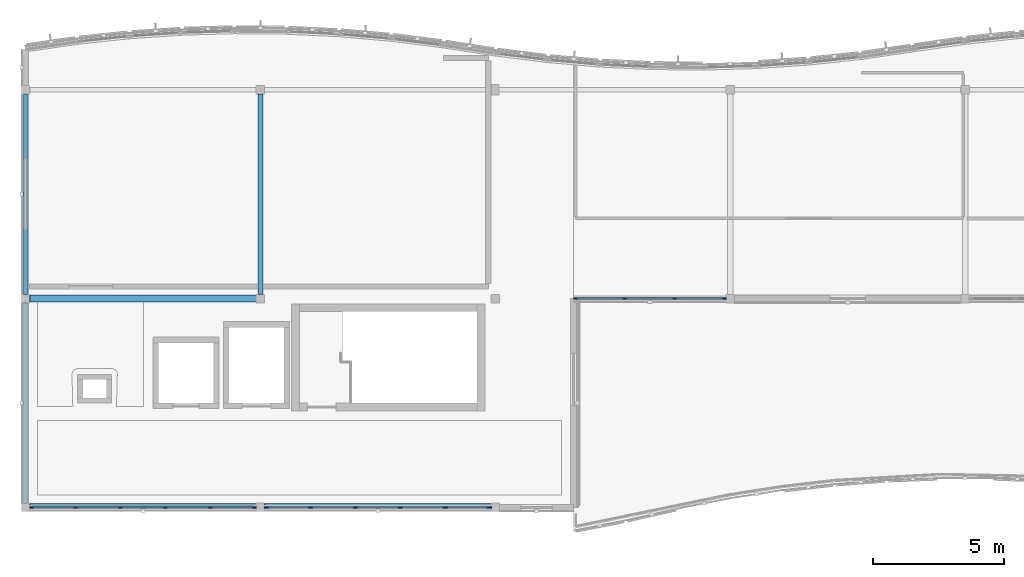
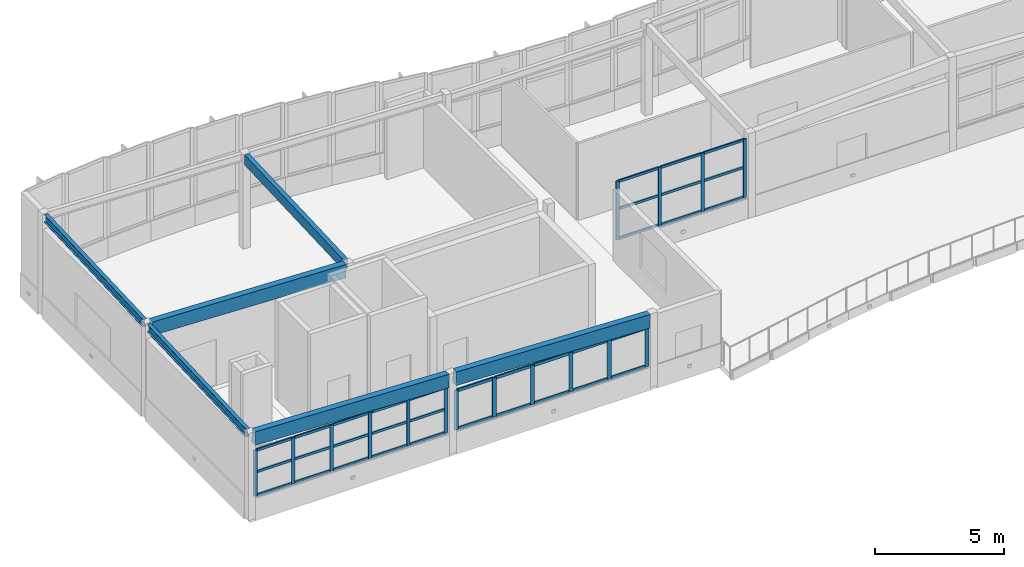
# One storey, part 2 of 20: 50 members, 6 beams, 3 elements without a shape of their own.
"""IFC4 building model written with IfcOpenShell, lengths in metres."""

from ifc_helpers import new_model, si_unit, direction, frame, origin, origin_2d, place, context, subcontext, project, spatial, rectangle, i_section, extrude, material, layer, layer_set, material_profile, profile_set, type_object, element, aggregate, save


model = new_model("IFC4")

# Units and contexts
model_context = context("Model", 3, precision=1e-05, world=origin(), true_north=direction((0.0, 1.0)))
body_context = subcontext(model_context, "Body", "Model", "MODEL_VIEW")
ifc_project = project(units=[si_unit("LENGTHUNIT", "METRE"), si_unit("AREAUNIT", "SQUARE_METRE"), si_unit("VOLUMEUNIT", "CUBIC_METRE"), si_unit("PLANEANGLEUNIT", "RADIAN"), si_unit("MASSUNIT", "GRAM", prefix="KILO")], contexts=[model_context])

# Site, building, storey
site_placement = place(None, origin())
site = spatial("IfcSite", under=ifc_project, at=site_placement, CompositionType="ELEMENT")
building_placement = place(site_placement, origin())
building = spatial("IfcBuilding", under=site, at=building_placement, Name="Tonlespit Floodbar School", CompositionType="ELEMENT")
storey_placement = place(building_placement, frame((0.0, 0.0, 20.10009765625)))
storey = spatial("IfcBuildingStorey", under=building, at=storey_placement, Name="L05", CompositionType="ELEMENT", Elevation=20.10009765625)

# Beams
ifc_material_1 = material(Name="Glulam GL28h", Category="wood")
ifc_material_profile_1 = material_profile(ifc_material_1, rectangle(XDim=0.199951171875, YDim=0.47998046875, at=origin_2d()), Name="GL 200x480")
ifc_profile_set_1 = profile_set([ifc_material_profile_1], Name="Glulam GL28h")
beam_type_1 = type_object("IfcBeamType", Name="Beam_GL_200x480", PredefinedType="BEAM", material=ifc_profile_set_1)
beam_placement = place(storey_placement, frame((53.0, 112.159912109375, 3.883056640625), z_axis=(0.0, 0.999069533259, 0.043128502326), x_axis=(-1.0, 0.0, 0.0)))
element("IfcBeam", 1, at=beam_placement, inside=storey, type_object=beam_type_1, Name="L05 girder 1354", PredefinedType="BEAM", context=body_context, shape_type="SweptSolid", body=[
    extrude(rectangle(XDim=0.199951171875, YDim=0.47998046875, at=origin_2d()), origin(), (0.0, 0.0, 1.0), 7.687255859375),
])
ifc_material_profile_2 = material_profile(ifc_material_1, rectangle(XDim=0.280029296875, YDim=0.639892578125, at=origin_2d()), Name="GL 280x640")
ifc_profile_set_2 = profile_set([ifc_material_profile_2], Name="Glulam GL28h")
beam_type_2 = type_object("IfcBeamType", Name="Beam_GL_280x640", PredefinedType="BEAM", material=ifc_profile_set_2)
for number, where, z_axis, x_axis, name in (
    (2, (44.159912109375, 104.0, 3.76708984375), (0.9993606324, 0.0, -0.035753690848), (0.0, 1.0, 0.0), "L05 girder 1336"),
    (3, (53.159912109375, 104.0, 3.445068359375), (0.9993606324, 0.0, -0.035753690848), (0.0, 1.0, 0.0), "L05 girder 1337"),
    (4, (44.159912109375, 112.0, 4.1123046875), (0.9993606324, 0.0, -0.035753690848), (0.0, 1.0, 0.0), "L05 girder 1340"),
):
    element("IfcBeam", number, at=place(storey_placement, frame(where, z_axis=z_axis, x_axis=x_axis)), inside=storey, type_object=beam_type_2, Name=name, PredefinedType="BEAM", context=body_context, shape_type="SweptSolid", body=[
        extrude(rectangle(XDim=0.280029296875, YDim=0.639892578125, at=origin_2d()), origin(), (0.0, 0.0, 1.0), 8.685791015625),
    ])

# Curtain wall, members
ifc_material_2 = material(Name="Anodised Aluminium", Category="aluminium")
ifc_layer_1 = layer(ifc_material_2, 0.159912109375)
ifc_layer_set_1 = layer_set([ifc_layer_1], Name="Anodised Aluminium")
curtain_wall_type_1 = type_object("IfcCurtainWallType", Name="CurtainWall_5750x2750", PredefinedType="NOTDEFINED", material=ifc_layer_set_1)
curtain_wall_1_placement = place(storey_placement, origin())
curtain_wall_1 = element("IfcCurtainWall", 5, at=curtain_wall_1_placement, inside=storey, type_object=curtain_wall_type_1, Name="L05 unitised curtain wall 0248", PredefinedType="NOTDEFINED")
ifc_material_profile_3 = material_profile(ifc_material_2, rectangle(XDim=0.06494140625, YDim=0.14990234375, at=origin_2d()), Name="ALU M65x150")
ifc_profile_set_3 = profile_set([ifc_material_profile_3], Name="Anodised Aluminium")
member_type_1 = type_object("IfcMemberType", Name="CW_Mullion_65x150", PredefinedType="MULLION", material=ifc_profile_set_3)
member_1_placement = place(storey_placement, frame((70.767578125, 112.0, 0.949951171875), z_axis=(0.0, 0.0, 1.0), x_axis=(0.0, -1.0, 0.0)))
member_1 = element("IfcMember", 6, at=member_1_placement, type_object=member_type_1, Name="CW-32 mullion 1", PredefinedType="MULLION", context=body_context, shape_type="SweptSolid", body=[
    extrude(rectangle(XDim=0.06494140625, YDim=0.14990234375, at=origin_2d()), origin(), (0.0, 0.0, 1.0), 2.766845703125),
])
member_2_placement = place(storey_placement, frame((68.8798828125, 112.0, 0.949951171875), z_axis=(0.0, 0.0, 1.0), x_axis=(0.0, -1.0, 0.0)))
member_2 = element("IfcMember", 7, at=member_2_placement, type_object=member_type_1, Name="CW-32 mullion 2", PredefinedType="MULLION", context=body_context, shape_type="SweptSolid", body=[
    extrude(rectangle(XDim=0.06494140625, YDim=0.14990234375, at=origin_2d()), origin(), (0.0, 0.0, 1.0), 2.766845703125),
])
member_3_placement = place(storey_placement, frame((66.9599609375, 112.0, 0.949951171875), z_axis=(0.0, 0.0, 1.0), x_axis=(0.0, -1.0, 0.0)))
member_3 = element("IfcMember", 8, at=member_3_placement, type_object=member_type_1, Name="CW-32 mullion 3", PredefinedType="MULLION", context=body_context, shape_type="SweptSolid", body=[
    extrude(rectangle(XDim=0.06494140625, YDim=0.14990234375, at=origin_2d()), origin(), (0.0, 0.0, 1.0), 2.766845703125),
])
member_4_placement = place(storey_placement, frame((65.072509765625, 112.0, 0.949951171875), z_axis=(0.0, 0.0, 1.0), x_axis=(0.0, -1.0, 0.0)))
member_4 = element("IfcMember", 9, at=member_4_placement, type_object=member_type_1, Name="CW-32 mullion 4", PredefinedType="MULLION", context=body_context, shape_type="SweptSolid", body=[
    extrude(rectangle(XDim=0.06494140625, YDim=0.14990234375, at=origin_2d()), origin(), (0.0, 0.0, 1.0), 2.766845703125),
])

ifc_layer_2 = layer(ifc_material_2, 0.159912109375)
ifc_layer_set_2 = layer_set([ifc_layer_2], Name="Anodised Aluminium")
curtain_wall_type_2 = type_object("IfcCurtainWallType", Name="CurtainWall_8600x2200", PredefinedType="NOTDEFINED", material=ifc_layer_set_2)
curtain_wall_2_placement = place(storey_placement, origin())
curtain_wall_2 = element("IfcCurtainWall", 10, at=curtain_wall_2_placement, inside=storey, type_object=curtain_wall_type_2, Name="L05 unitised curtain wall 0250", PredefinedType="NOTDEFINED")
member_5_placement = place(storey_placement, frame((52.767578125, 104.0, 0.949951171875), z_axis=(0.0, 0.0, 1.0), x_axis=(0.0, -1.0, 0.0)))
member_5 = element("IfcMember", 11, at=member_5_placement, type_object=member_type_1, Name="CW-28 mullion 1", PredefinedType="MULLION", context=body_context, shape_type="SweptSolid", body=[
    extrude(rectangle(XDim=0.06494140625, YDim=0.14990234375, at=origin_2d()), origin(), (0.0, 0.0, 1.0), 2.186767578125),
])
member_6_placement = place(storey_placement, frame((51.080078125, 104.0, 0.949951171875), z_axis=(0.0, 0.0, 1.0), x_axis=(0.0, -1.0, 0.0)))
member_6 = element("IfcMember", 12, at=member_6_placement, type_object=member_type_1, Name="CW-28 mullion 2", PredefinedType="MULLION", context=body_context, shape_type="SweptSolid", body=[
    extrude(rectangle(XDim=0.06494140625, YDim=0.14990234375, at=origin_2d()), origin(), (0.0, 0.0, 1.0), 2.186767578125),
])
member_7_placement = place(storey_placement, frame((49.360107421875, 104.0, 0.949951171875), z_axis=(0.0, 0.0, 1.0), x_axis=(0.0, -1.0, 0.0)))
member_7 = element("IfcMember", 13, at=member_7_placement, type_object=member_type_1, Name="CW-28 mullion 3", PredefinedType="MULLION", context=body_context, shape_type="SweptSolid", body=[
    extrude(rectangle(XDim=0.06494140625, YDim=0.14990234375, at=origin_2d()), origin(), (0.0, 0.0, 1.0), 2.186767578125),
])
member_8_placement = place(storey_placement, frame((47.639892578125, 104.0, 0.949951171875), z_axis=(0.0, 0.0, 1.0), x_axis=(0.0, -1.0, 0.0)))
member_8 = element("IfcMember", 14, at=member_8_placement, type_object=member_type_1, Name="CW-28 mullion 4", PredefinedType="MULLION", context=body_context, shape_type="SweptSolid", body=[
    extrude(rectangle(XDim=0.06494140625, YDim=0.14990234375, at=origin_2d()), origin(), (0.0, 0.0, 1.0), 2.186767578125),
])
member_9_placement = place(storey_placement, frame((45.919921875, 104.0, 0.949951171875), z_axis=(0.0, 0.0, 1.0), x_axis=(0.0, -1.0, 0.0)))
member_9 = element("IfcMember", 15, at=member_9_placement, type_object=member_type_1, Name="CW-28 mullion 5", PredefinedType="MULLION", context=body_context, shape_type="SweptSolid", body=[
    extrude(rectangle(XDim=0.06494140625, YDim=0.14990234375, at=origin_2d()), origin(), (0.0, 0.0, 1.0), 2.186767578125),
])
member_10_placement = place(storey_placement, frame((44.232421875, 104.0, 0.949951171875), z_axis=(0.0, 0.0, 1.0), x_axis=(0.0, -1.0, 0.0)))
member_10 = element("IfcMember", 16, at=member_10_placement, type_object=member_type_1, Name="CW-28 mullion 6", PredefinedType="MULLION", context=body_context, shape_type="SweptSolid", body=[
    extrude(rectangle(XDim=0.06494140625, YDim=0.14990234375, at=origin_2d()), origin(), (0.0, 0.0, 1.0), 2.186767578125),
])

ifc_layer_3 = layer(ifc_material_2, 0.159912109375)
ifc_layer_set_3 = layer_set([ifc_layer_3], Name="Anodised Aluminium")
curtain_wall_type_3 = type_object("IfcCurtainWallType", Name="CurtainWall_8600x1850", PredefinedType="NOTDEFINED", material=ifc_layer_set_3)
curtain_wall_3_placement = place(storey_placement, origin())
curtain_wall_3 = element("IfcCurtainWall", 17, at=curtain_wall_3_placement, inside=storey, type_object=curtain_wall_type_3, Name="L05 unitised curtain wall 0249", PredefinedType="NOTDEFINED")
ifc_material_profile_4 = material_profile(ifc_material_2, rectangle(XDim=0.06494140625, YDim=0.179931640625, at=origin_2d()), Name="ALU M65x180")
ifc_profile_set_4 = profile_set([ifc_material_profile_4], Name="Anodised Aluminium")
member_type_2 = type_object("IfcMemberType", Name="CW_Mullion_65x180", PredefinedType="MULLION", material=ifc_profile_set_4)
member_11_placement = place(storey_placement, frame((61.767578125, 104.0, 0.949951171875), z_axis=(0.0, 0.0, 1.0), x_axis=(0.0, -1.0, 0.0)))
member_11 = element("IfcMember", 18, at=member_11_placement, type_object=member_type_2, Name="CW-29 mullion 1", PredefinedType="MULLION", context=body_context, shape_type="SweptSolid", body=[
    extrude(rectangle(XDim=0.06494140625, YDim=0.179931640625, at=origin_2d()), origin(), (0.0, 0.0, 1.0), 1.864501953125),
])
member_12_placement = place(storey_placement, frame((60.080078125, 104.0, 0.949951171875), z_axis=(0.0, 0.0, 1.0), x_axis=(0.0, -1.0, 0.0)))
member_12 = element("IfcMember", 19, at=member_12_placement, type_object=member_type_2, Name="CW-29 mullion 2", PredefinedType="MULLION", context=body_context, shape_type="SweptSolid", body=[
    extrude(rectangle(XDim=0.06494140625, YDim=0.179931640625, at=origin_2d()), origin(), (0.0, 0.0, 1.0), 1.864501953125),
])
member_13_placement = place(storey_placement, frame((58.360107421875, 104.0, 0.949951171875), z_axis=(0.0, 0.0, 1.0), x_axis=(0.0, -1.0, 0.0)))
member_13 = element("IfcMember", 20, at=member_13_placement, type_object=member_type_2, Name="CW-29 mullion 3", PredefinedType="MULLION", context=body_context, shape_type="SweptSolid", body=[
    extrude(rectangle(XDim=0.06494140625, YDim=0.179931640625, at=origin_2d()), origin(), (0.0, 0.0, 1.0), 1.864501953125),
])
member_14_placement = place(storey_placement, frame((56.639892578125, 104.0, 0.949951171875), z_axis=(0.0, 0.0, 1.0), x_axis=(0.0, -1.0, 0.0)))
member_14 = element("IfcMember", 21, at=member_14_placement, type_object=member_type_2, Name="CW-29 mullion 4", PredefinedType="MULLION", context=body_context, shape_type="SweptSolid", body=[
    extrude(rectangle(XDim=0.06494140625, YDim=0.179931640625, at=origin_2d()), origin(), (0.0, 0.0, 1.0), 1.864501953125),
])
member_15_placement = place(storey_placement, frame((54.919921875, 104.0, 0.949951171875), z_axis=(0.0, 0.0, 1.0), x_axis=(0.0, -1.0, 0.0)))
member_15 = element("IfcMember", 22, at=member_15_placement, type_object=member_type_2, Name="CW-29 mullion 5", PredefinedType="MULLION", context=body_context, shape_type="SweptSolid", body=[
    extrude(rectangle(XDim=0.06494140625, YDim=0.179931640625, at=origin_2d()), origin(), (0.0, 0.0, 1.0), 1.864501953125),
])
member_16_placement = place(storey_placement, frame((53.232421875, 104.0, 0.949951171875), z_axis=(0.0, 0.0, 1.0), x_axis=(0.0, -1.0, 0.0)))
member_16 = element("IfcMember", 23, at=member_16_placement, type_object=member_type_2, Name="CW-29 mullion 6", PredefinedType="MULLION", context=body_context, shape_type="SweptSolid", body=[
    extrude(rectangle(XDim=0.06494140625, YDim=0.179931640625, at=origin_2d()), origin(), (0.0, 0.0, 1.0), 1.864501953125),
])

# Member
ifc_material_profile_5 = material_profile(ifc_material_2, rectangle(XDim=0.06494140625, YDim=0.1201171875, at=origin_2d()), Name="ALU T65x120")
ifc_profile_set_5 = profile_set([ifc_material_profile_5], Name="Anodised Aluminium")
member_type_3 = type_object("IfcMemberType", Name="CW_Transom_65x120", PredefinedType="USERDEFINED", material=ifc_profile_set_5)
member_17_placement = place(storey_placement, frame((70.735107421875, 112.0, 0.982421875), z_axis=(-1.0, 0.0, 0.0), x_axis=(0.0, -1.0, 0.0)))
member_17 = element("IfcMember", 24, at=member_17_placement, type_object=member_type_3, Name="CW-32 transom 1.1", ObjectType="TRANSOM", PredefinedType="USERDEFINED", context=body_context, shape_type="SweptSolid", body=[
    extrude(rectangle(XDim=0.06494140625, YDim=0.1201171875, at=origin_2d()), origin(), (0.0, 0.0, 1.0), 1.822509765625),
])

member_18_placement = place(storey_placement, frame((70.735107421875, 112.0, 2.388671875), z_axis=(-1.0, 0.0, 0.0), x_axis=(0.0, -1.0, 0.0)))
member_18 = element("IfcMember", 25, at=member_18_placement, type_object=member_type_3, Name="CW-32 transom 1.2", ObjectType="TRANSOM", PredefinedType="USERDEFINED", context=body_context, shape_type="SweptSolid", body=[
    extrude(rectangle(XDim=0.06494140625, YDim=0.1201171875, at=origin_2d()), origin(), (0.0, 0.0, 1.0), 1.822509765625),
])

member_19_placement = place(storey_placement, frame((70.735107421875, 112.0, 3.68408203125), z_axis=(-1.0, 0.0, 0.0), x_axis=(0.0, -1.0, 0.0)))
member_19 = element("IfcMember", 26, at=member_19_placement, type_object=member_type_3, Name="CW-32 transom 1.3", ObjectType="TRANSOM", PredefinedType="USERDEFINED", context=body_context, shape_type="SweptSolid", body=[
    extrude(rectangle(XDim=0.06494140625, YDim=0.1201171875, at=origin_2d()), origin(), (0.0, 0.0, 1.0), 1.822509765625),
])

member_20_placement = place(storey_placement, frame((68.847412109375, 112.0, 0.982421875), z_axis=(-1.0, 0.0, 0.0), x_axis=(0.0, -1.0, 0.0)))
member_20 = element("IfcMember", 27, at=member_20_placement, type_object=member_type_3, Name="CW-32 transom 2.1", ObjectType="TRANSOM", PredefinedType="USERDEFINED", context=body_context, shape_type="SweptSolid", body=[
    extrude(rectangle(XDim=0.06494140625, YDim=0.1201171875, at=origin_2d()), origin(), (0.0, 0.0, 1.0), 1.85498046875),
])

member_21_placement = place(storey_placement, frame((68.847412109375, 112.0, 2.388671875), z_axis=(-1.0, 0.0, 0.0), x_axis=(0.0, -1.0, 0.0)))
member_21 = element("IfcMember", 28, at=member_21_placement, type_object=member_type_3, Name="CW-32 transom 2.2", ObjectType="TRANSOM", PredefinedType="USERDEFINED", context=body_context, shape_type="SweptSolid", body=[
    extrude(rectangle(XDim=0.06494140625, YDim=0.1201171875, at=origin_2d()), origin(), (0.0, 0.0, 1.0), 1.85498046875),
])

member_22_placement = place(storey_placement, frame((68.847412109375, 112.0, 3.68408203125), z_axis=(-1.0, 0.0, 0.0), x_axis=(0.0, -1.0, 0.0)))
member_22 = element("IfcMember", 29, at=member_22_placement, type_object=member_type_3, Name="CW-32 transom 2.3", ObjectType="TRANSOM", PredefinedType="USERDEFINED", context=body_context, shape_type="SweptSolid", body=[
    extrude(rectangle(XDim=0.06494140625, YDim=0.1201171875, at=origin_2d()), origin(), (0.0, 0.0, 1.0), 1.85498046875),
])

member_23_placement = place(storey_placement, frame((66.927490234375, 112.0, 0.982421875), z_axis=(-1.0, 0.0, 0.0), x_axis=(0.0, -1.0, 0.0)))
member_23 = element("IfcMember", 30, at=member_23_placement, type_object=member_type_3, Name="CW-32 transom 3.1", ObjectType="TRANSOM", PredefinedType="USERDEFINED", context=body_context, shape_type="SweptSolid", body=[
    extrude(rectangle(XDim=0.06494140625, YDim=0.1201171875, at=origin_2d()), origin(), (0.0, 0.0, 1.0), 1.822509765625),
])

member_24_placement = place(storey_placement, frame((66.927490234375, 112.0, 2.388671875), z_axis=(-1.0, 0.0, 0.0), x_axis=(0.0, -1.0, 0.0)))
member_24 = element("IfcMember", 31, at=member_24_placement, type_object=member_type_3, Name="CW-32 transom 3.2", ObjectType="TRANSOM", PredefinedType="USERDEFINED", context=body_context, shape_type="SweptSolid", body=[
    extrude(rectangle(XDim=0.06494140625, YDim=0.1201171875, at=origin_2d()), origin(), (0.0, 0.0, 1.0), 1.822509765625),
])

member_25_placement = place(storey_placement, frame((66.927490234375, 112.0, 3.68408203125), z_axis=(-1.0, 0.0, 0.0), x_axis=(0.0, -1.0, 0.0)))
member_25 = element("IfcMember", 32, at=member_25_placement, type_object=member_type_3, Name="CW-32 transom 3.3", ObjectType="TRANSOM", PredefinedType="USERDEFINED", context=body_context, shape_type="SweptSolid", body=[
    extrude(rectangle(XDim=0.06494140625, YDim=0.1201171875, at=origin_2d()), origin(), (0.0, 0.0, 1.0), 1.822509765625),
])

aggregate(curtain_wall_1, [member_1, member_2, member_3, member_4, member_17, member_18, member_19, member_20, member_21, member_22, member_23, member_24, member_25])

member_26_placement = place(storey_placement, frame((52.735107421875, 104.0, 0.982421875), z_axis=(-1.0, 0.0, 0.0), x_axis=(0.0, -1.0, 0.0)))
member_26 = element("IfcMember", 33, at=member_26_placement, type_object=member_type_3, Name="CW-28 transom 1.1", ObjectType="TRANSOM", PredefinedType="USERDEFINED", context=body_context, shape_type="SweptSolid", body=[
    extrude(rectangle(XDim=0.06494140625, YDim=0.1201171875, at=origin_2d()), origin(), (0.0, 0.0, 1.0), 1.62255859375),
])

member_27_placement = place(storey_placement, frame((52.735107421875, 104.0, 2.0869140625), z_axis=(-1.0, 0.0, 0.0), x_axis=(0.0, -1.0, 0.0)))
member_27 = element("IfcMember", 34, at=member_27_placement, type_object=member_type_3, Name="CW-28 transom 1.2", ObjectType="TRANSOM", PredefinedType="USERDEFINED", context=body_context, shape_type="SweptSolid", body=[
    extrude(rectangle(XDim=0.06494140625, YDim=0.1201171875, at=origin_2d()), origin(), (0.0, 0.0, 1.0), 1.62255859375),
])

member_28_placement = place(storey_placement, frame((52.735107421875, 104.0, 3.10400390625), z_axis=(-1.0, 0.0, 0.0), x_axis=(0.0, -1.0, 0.0)))
member_28 = element("IfcMember", 35, at=member_28_placement, type_object=member_type_3, Name="CW-28 transom 1.3", ObjectType="TRANSOM", PredefinedType="USERDEFINED", context=body_context, shape_type="SweptSolid", body=[
    extrude(rectangle(XDim=0.06494140625, YDim=0.1201171875, at=origin_2d()), origin(), (0.0, 0.0, 1.0), 1.62255859375),
])

member_29_placement = place(storey_placement, frame((51.047607421875, 104.0, 0.982421875), z_axis=(-1.0, 0.0, 0.0), x_axis=(0.0, -1.0, 0.0)))
member_29 = element("IfcMember", 36, at=member_29_placement, type_object=member_type_3, Name="CW-28 transom 2.1", ObjectType="TRANSOM", PredefinedType="USERDEFINED", context=body_context, shape_type="SweptSolid", body=[
    extrude(rectangle(XDim=0.06494140625, YDim=0.1201171875, at=origin_2d()), origin(), (0.0, 0.0, 1.0), 1.655029296875),
])

member_30_placement = place(storey_placement, frame((51.047607421875, 104.0, 2.0869140625), z_axis=(-1.0, 0.0, 0.0), x_axis=(0.0, -1.0, 0.0)))
member_30 = element("IfcMember", 37, at=member_30_placement, type_object=member_type_3, Name="CW-28 transom 2.2", ObjectType="TRANSOM", PredefinedType="USERDEFINED", context=body_context, shape_type="SweptSolid", body=[
    extrude(rectangle(XDim=0.06494140625, YDim=0.1201171875, at=origin_2d()), origin(), (0.0, 0.0, 1.0), 1.655029296875),
])

member_31_placement = place(storey_placement, frame((51.047607421875, 104.0, 3.10400390625), z_axis=(-1.0, 0.0, 0.0), x_axis=(0.0, -1.0, 0.0)))
member_31 = element("IfcMember", 38, at=member_31_placement, type_object=member_type_3, Name="CW-28 transom 2.3", ObjectType="TRANSOM", PredefinedType="USERDEFINED", context=body_context, shape_type="SweptSolid", body=[
    extrude(rectangle(XDim=0.06494140625, YDim=0.1201171875, at=origin_2d()), origin(), (0.0, 0.0, 1.0), 1.655029296875),
])

member_32_placement = place(storey_placement, frame((49.327392578125, 104.0, 0.982421875), z_axis=(-1.0, 0.0, 0.0), x_axis=(0.0, -1.0, 0.0)))
member_32 = element("IfcMember", 39, at=member_32_placement, type_object=member_type_3, Name="CW-28 transom 3.1", ObjectType="TRANSOM", PredefinedType="USERDEFINED", context=body_context, shape_type="SweptSolid", body=[
    extrude(rectangle(XDim=0.06494140625, YDim=0.1201171875, at=origin_2d()), origin(), (0.0, 0.0, 1.0), 1.65478515625),
])

member_33_placement = place(storey_placement, frame((49.327392578125, 104.0, 2.0869140625), z_axis=(-1.0, 0.0, 0.0), x_axis=(0.0, -1.0, 0.0)))
member_33 = element("IfcMember", 40, at=member_33_placement, type_object=member_type_3, Name="CW-28 transom 3.2", ObjectType="TRANSOM", PredefinedType="USERDEFINED", context=body_context, shape_type="SweptSolid", body=[
    extrude(rectangle(XDim=0.06494140625, YDim=0.1201171875, at=origin_2d()), origin(), (0.0, 0.0, 1.0), 1.65478515625),
])

member_34_placement = place(storey_placement, frame((49.327392578125, 104.0, 3.10400390625), z_axis=(-1.0, 0.0, 0.0), x_axis=(0.0, -1.0, 0.0)))
member_34 = element("IfcMember", 41, at=member_34_placement, type_object=member_type_3, Name="CW-28 transom 3.3", ObjectType="TRANSOM", PredefinedType="USERDEFINED", context=body_context, shape_type="SweptSolid", body=[
    extrude(rectangle(XDim=0.06494140625, YDim=0.1201171875, at=origin_2d()), origin(), (0.0, 0.0, 1.0), 1.65478515625),
])

member_35_placement = place(storey_placement, frame((47.607421875, 104.0, 0.982421875), z_axis=(-1.0, 0.0, 0.0), x_axis=(0.0, -1.0, 0.0)))
member_35 = element("IfcMember", 42, at=member_35_placement, type_object=member_type_3, Name="CW-28 transom 4.1", ObjectType="TRANSOM", PredefinedType="USERDEFINED", context=body_context, shape_type="SweptSolid", body=[
    extrude(rectangle(XDim=0.06494140625, YDim=0.1201171875, at=origin_2d()), origin(), (0.0, 0.0, 1.0), 1.655029296875),
])

member_36_placement = place(storey_placement, frame((47.607421875, 104.0, 2.0869140625), z_axis=(-1.0, 0.0, 0.0), x_axis=(0.0, -1.0, 0.0)))
member_36 = element("IfcMember", 43, at=member_36_placement, type_object=member_type_3, Name="CW-28 transom 4.2", ObjectType="TRANSOM", PredefinedType="USERDEFINED", context=body_context, shape_type="SweptSolid", body=[
    extrude(rectangle(XDim=0.06494140625, YDim=0.1201171875, at=origin_2d()), origin(), (0.0, 0.0, 1.0), 1.655029296875),
])

member_37_placement = place(storey_placement, frame((47.607421875, 104.0, 3.10400390625), z_axis=(-1.0, 0.0, 0.0), x_axis=(0.0, -1.0, 0.0)))
member_37 = element("IfcMember", 44, at=member_37_placement, type_object=member_type_3, Name="CW-28 transom 4.3", ObjectType="TRANSOM", PredefinedType="USERDEFINED", context=body_context, shape_type="SweptSolid", body=[
    extrude(rectangle(XDim=0.06494140625, YDim=0.1201171875, at=origin_2d()), origin(), (0.0, 0.0, 1.0), 1.655029296875),
])

member_38_placement = place(storey_placement, frame((45.887451171875, 104.0, 0.982421875), z_axis=(-1.0, 0.0, 0.0), x_axis=(0.0, -1.0, 0.0)))
member_38 = element("IfcMember", 45, at=member_38_placement, type_object=member_type_3, Name="CW-28 transom 5.1", ObjectType="TRANSOM", PredefinedType="USERDEFINED", context=body_context, shape_type="SweptSolid", body=[
    extrude(rectangle(XDim=0.06494140625, YDim=0.1201171875, at=origin_2d()), origin(), (0.0, 0.0, 1.0), 1.62255859375),
])

member_39_placement = place(storey_placement, frame((45.887451171875, 104.0, 2.0869140625), z_axis=(-1.0, 0.0, 0.0), x_axis=(0.0, -1.0, 0.0)))
member_39 = element("IfcMember", 46, at=member_39_placement, type_object=member_type_3, Name="CW-28 transom 5.2", ObjectType="TRANSOM", PredefinedType="USERDEFINED", context=body_context, shape_type="SweptSolid", body=[
    extrude(rectangle(XDim=0.06494140625, YDim=0.1201171875, at=origin_2d()), origin(), (0.0, 0.0, 1.0), 1.62255859375),
])

member_40_placement = place(storey_placement, frame((45.887451171875, 104.0, 3.10400390625), z_axis=(-1.0, 0.0, 0.0), x_axis=(0.0, -1.0, 0.0)))
member_40 = element("IfcMember", 47, at=member_40_placement, type_object=member_type_3, Name="CW-28 transom 5.3", ObjectType="TRANSOM", PredefinedType="USERDEFINED", context=body_context, shape_type="SweptSolid", body=[
    extrude(rectangle(XDim=0.06494140625, YDim=0.1201171875, at=origin_2d()), origin(), (0.0, 0.0, 1.0), 1.62255859375),
])

aggregate(curtain_wall_2, [member_5, member_6, member_7, member_8, member_9, member_10, member_26, member_27, member_28, member_29, member_30, member_31, member_32, member_33, member_34, member_35, member_36, member_37, member_38, member_39, member_40])

ifc_material_profile_6 = material_profile(ifc_material_2, rectangle(XDim=0.06494140625, YDim=0.139892578125, at=origin_2d()), Name="ALU T65x140")
ifc_profile_set_6 = profile_set([ifc_material_profile_6], Name="Anodised Aluminium")
member_type_4 = type_object("IfcMemberType", Name="CW_Transom_65x140", PredefinedType="USERDEFINED", material=ifc_profile_set_6)
member_41_placement = place(storey_placement, frame((61.735107421875, 104.0, 0.982421875), z_axis=(-1.0, 0.0, 0.0), x_axis=(0.0, -1.0, 0.0)))
member_41 = element("IfcMember", 48, at=member_41_placement, type_object=member_type_4, Name="CW-29 transom 1.1", ObjectType="TRANSOM", PredefinedType="USERDEFINED", context=body_context, shape_type="SweptSolid", body=[
    extrude(rectangle(XDim=0.06494140625, YDim=0.139892578125, at=origin_2d()), origin(), (0.0, 0.0, 1.0), 1.62255859375),
])

member_42_placement = place(storey_placement, frame((61.735107421875, 104.0, 2.781982421875), z_axis=(-1.0, 0.0, 0.0), x_axis=(0.0, -1.0, 0.0)))
member_42 = element("IfcMember", 49, at=member_42_placement, type_object=member_type_4, Name="CW-29 transom 1.2", ObjectType="TRANSOM", PredefinedType="USERDEFINED", context=body_context, shape_type="SweptSolid", body=[
    extrude(rectangle(XDim=0.06494140625, YDim=0.139892578125, at=origin_2d()), origin(), (0.0, 0.0, 1.0), 1.62255859375),
])

member_43_placement = place(storey_placement, frame((60.047607421875, 104.0, 0.982421875), z_axis=(-1.0, 0.0, 0.0), x_axis=(0.0, -1.0, 0.0)))
member_43 = element("IfcMember", 50, at=member_43_placement, type_object=member_type_4, Name="CW-29 transom 2.1", ObjectType="TRANSOM", PredefinedType="USERDEFINED", context=body_context, shape_type="SweptSolid", body=[
    extrude(rectangle(XDim=0.06494140625, YDim=0.139892578125, at=origin_2d()), origin(), (0.0, 0.0, 1.0), 1.655029296875),
])

member_44_placement = place(storey_placement, frame((60.047607421875, 104.0, 2.781982421875), z_axis=(-1.0, 0.0, 0.0), x_axis=(0.0, -1.0, 0.0)))
member_44 = element("IfcMember", 51, at=member_44_placement, type_object=member_type_4, Name="CW-29 transom 2.2", ObjectType="TRANSOM", PredefinedType="USERDEFINED", context=body_context, shape_type="SweptSolid", body=[
    extrude(rectangle(XDim=0.06494140625, YDim=0.139892578125, at=origin_2d()), origin(), (0.0, 0.0, 1.0), 1.655029296875),
])

member_45_placement = place(storey_placement, frame((58.327392578125, 104.0, 0.982421875), z_axis=(-1.0, 0.0, 0.0), x_axis=(0.0, -1.0, 0.0)))
member_45 = element("IfcMember", 52, at=member_45_placement, type_object=member_type_4, Name="CW-29 transom 3.1", ObjectType="TRANSOM", PredefinedType="USERDEFINED", context=body_context, shape_type="SweptSolid", body=[
    extrude(rectangle(XDim=0.06494140625, YDim=0.139892578125, at=origin_2d()), origin(), (0.0, 0.0, 1.0), 1.65478515625),
])

member_46_placement = place(storey_placement, frame((58.327392578125, 104.0, 2.781982421875), z_axis=(-1.0, 0.0, 0.0), x_axis=(0.0, -1.0, 0.0)))
member_46 = element("IfcMember", 53, at=member_46_placement, type_object=member_type_4, Name="CW-29 transom 3.2", ObjectType="TRANSOM", PredefinedType="USERDEFINED", context=body_context, shape_type="SweptSolid", body=[
    extrude(rectangle(XDim=0.06494140625, YDim=0.139892578125, at=origin_2d()), origin(), (0.0, 0.0, 1.0), 1.65478515625),
])

member_47_placement = place(storey_placement, frame((56.607421875, 104.0, 0.982421875), z_axis=(-1.0, 0.0, 0.0), x_axis=(0.0, -1.0, 0.0)))
member_47 = element("IfcMember", 54, at=member_47_placement, type_object=member_type_4, Name="CW-29 transom 4.1", ObjectType="TRANSOM", PredefinedType="USERDEFINED", context=body_context, shape_type="SweptSolid", body=[
    extrude(rectangle(XDim=0.06494140625, YDim=0.139892578125, at=origin_2d()), origin(), (0.0, 0.0, 1.0), 1.655029296875),
])

member_48_placement = place(storey_placement, frame((56.607421875, 104.0, 2.781982421875), z_axis=(-1.0, 0.0, 0.0), x_axis=(0.0, -1.0, 0.0)))
member_48 = element("IfcMember", 55, at=member_48_placement, type_object=member_type_4, Name="CW-29 transom 4.2", ObjectType="TRANSOM", PredefinedType="USERDEFINED", context=body_context, shape_type="SweptSolid", body=[
    extrude(rectangle(XDim=0.06494140625, YDim=0.139892578125, at=origin_2d()), origin(), (0.0, 0.0, 1.0), 1.655029296875),
])

member_49_placement = place(storey_placement, frame((54.887451171875, 104.0, 0.982421875), z_axis=(-1.0, 0.0, 0.0), x_axis=(0.0, -1.0, 0.0)))
member_49 = element("IfcMember", 56, at=member_49_placement, type_object=member_type_4, Name="CW-29 transom 5.1", ObjectType="TRANSOM", PredefinedType="USERDEFINED", context=body_context, shape_type="SweptSolid", body=[
    extrude(rectangle(XDim=0.06494140625, YDim=0.139892578125, at=origin_2d()), origin(), (0.0, 0.0, 1.0), 1.62255859375),
])

member_50_placement = place(storey_placement, frame((54.887451171875, 104.0, 2.781982421875), z_axis=(-1.0, 0.0, 0.0), x_axis=(0.0, -1.0, 0.0)))
member_50 = element("IfcMember", 57, at=member_50_placement, type_object=member_type_4, Name="CW-29 transom 5.2", ObjectType="TRANSOM", PredefinedType="USERDEFINED", context=body_context, shape_type="SweptSolid", body=[
    extrude(rectangle(XDim=0.06494140625, YDim=0.139892578125, at=origin_2d()), origin(), (0.0, 0.0, 1.0), 1.62255859375),
])

aggregate(curtain_wall_3, [member_11, member_12, member_13, member_14, member_15, member_16, member_41, member_42, member_43, member_44, member_45, member_46, member_47, member_48, member_49, member_50])

# Beams
ifc_material_3 = material(Name="Steel S355", Category="steel")
ifc_material_profile_7 = material_profile(ifc_material_3, i_section(OverallWidth=0.169921875, OverallDepth=0.360107421875, WebThickness=0.008056640625, FlangeThickness=0.0126953125, at=origin_2d()), Name="IPE 360")
ifc_profile_set_7 = profile_set([ifc_material_profile_7], Name="Steel S355")
beam_type_3 = type_object("IfcBeamType", Name="Spandrel_STL_IPE360", PredefinedType="SPANDREL", material=ifc_profile_set_7)
for number, where, z_axis, x_axis, name in (
    (58, (44.0, 104.159912109375, 3.919921875), (0.0, 0.999070901195, 0.043096802496), (-1.0, 0.0, 0.0), "L05 girder 1352"),
    (59, (44.0, 112.159912109375, 4.264892578125), (0.0, 0.999069533259, 0.043128502326), (-1.0, 0.0, 0.0), "L05 girder 1353"),
):
    element("IfcBeam", number, at=place(storey_placement, frame(where, z_axis=z_axis, x_axis=x_axis)), inside=storey, type_object=beam_type_3, Name=name, PredefinedType="SPANDREL", context=body_context, shape_type="SweptSolid", body=[
        extrude(i_section(OverallWidth=0.169921875, OverallDepth=0.360107421875, WebThickness=0.008056640625, FlangeThickness=0.0126953125, at=origin_2d()), origin(), (0.0, 0.0, 1.0), 7.687255859375),
    ])

save(model, "model.ifc")
